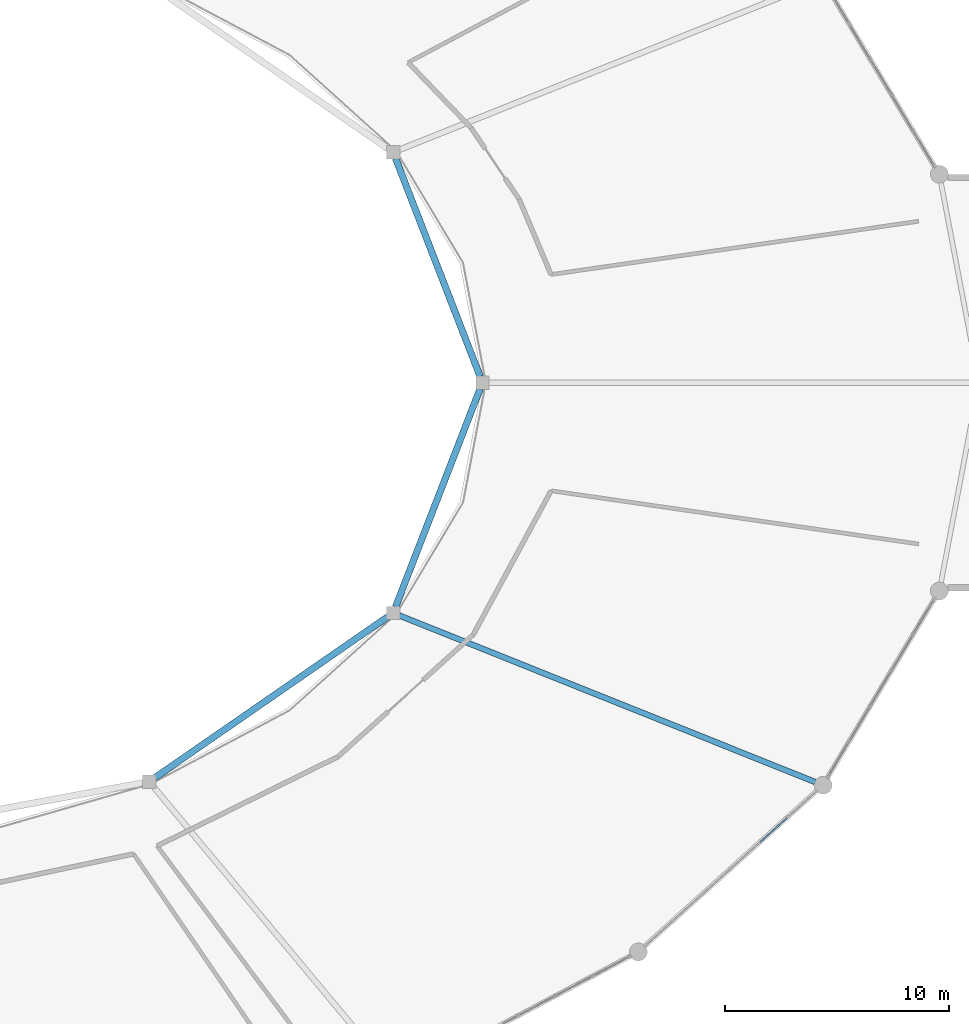
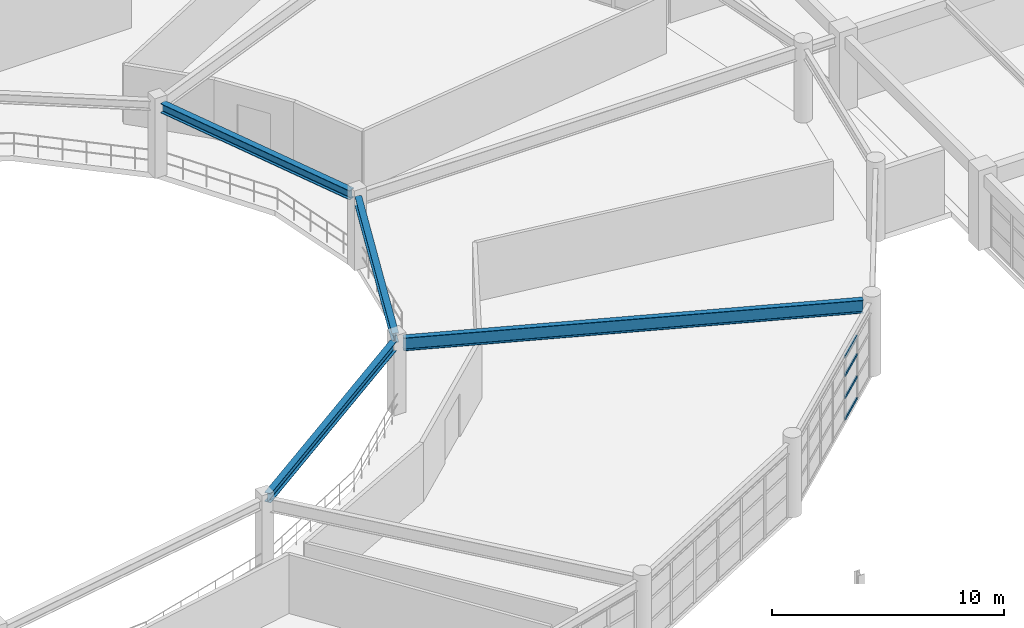
# One storey, part 40 of 100: 4 beams, 4 members, 1 element without a shape of its own.
"""IFC4 building model written with IfcOpenShell, lengths in metres."""

from ifc_helpers import new_model, si_unit, direction, frame, origin, origin_2d, place, context, subcontext, project, spatial, rectangle, i_section, extrude, material, layer, layer_set, material_profile, profile_set, type_object, element, aggregate, save


model = new_model("IFC4")

# Units and contexts
model_context = context("Model", 3, precision=1e-05, world=origin(), true_north=direction((0.0, 1.0)))
body_context = subcontext(model_context, "Body", "Model", "MODEL_VIEW")
ifc_project = project(units=[si_unit("LENGTHUNIT", "METRE"), si_unit("AREAUNIT", "SQUARE_METRE"), si_unit("VOLUMEUNIT", "CUBIC_METRE"), si_unit("PLANEANGLEUNIT", "RADIAN"), si_unit("MASSUNIT", "GRAM", prefix="KILO")], contexts=[model_context])

# Site, building, storey
site_placement = place(None, origin())
site = spatial("IfcSite", under=ifc_project, at=site_placement, CompositionType="ELEMENT")
building_placement = place(site_placement, origin())
building = spatial("IfcBuilding", under=site, at=building_placement, Name="Kivolera Central Railway Station", CompositionType="ELEMENT")
storey_placement = place(building_placement, frame((0.0, 0.0, 5.39990234375)))
storey = spatial("IfcBuildingStorey", under=building, at=storey_placement, Name="L01", CompositionType="ELEMENT", Elevation=5.39990234375)

# Beams
ifc_material_1 = material(Name="Steel S355", Category="steel")
ifc_material_profile_1 = material_profile(ifc_material_1, i_section(OverallWidth=0.300048828125, OverallDepth=0.489990234375, WebThickness=0.011962890625, FlangeThickness=0.02294921875, FilletRadius=0.027099609375, at=origin_2d()), Name="HEA 500")
ifc_profile_set_1 = profile_set([ifc_material_profile_1], Name="Steel S355")
beam_type_1 = type_object("IfcBeamType", Name="BM-SHD-HEA500", PredefinedType="BEAM", material=ifc_profile_set_1)
beam_1_placement = place(storey_placement, frame((93.694091796875, 90.27197265625, 3.633056640625), z_axis=(-0.361282774201, 0.932456303033, 0.0), x_axis=(-0.932456303033, -0.361282774201, 0.0)))
element("IfcBeam", 1, at=beam_1_placement, inside=storey, type_object=beam_type_1, Name="L01 Oval Inner Gallery Ring Beam 01", PredefinedType="BEAM", context=body_context, shape_type="SweptSolid", body=[
    extrude(i_section(OverallWidth=0.300048828125, OverallDepth=0.489990234375, WebThickness=0.011962890625, FlangeThickness=0.02294921875, FilletRadius=0.027099609375, at=origin_2d()), origin(), (0.0, 0.0, 1.0), 10.462890625),
])
beam_2_placement = place(storey_placement, frame((79.139892578125, 72.325927734375, 3.633056640625), z_axis=(0.822617656818, 0.568594926719, 0.0), x_axis=(-0.568594926719, 0.822617656818, 0.0)))
element("IfcBeam", 2, at=beam_2_placement, inside=storey, type_object=beam_type_1, Name="L01 Oval Inner Gallery Ring Beam 11", PredefinedType="BEAM", context=body_context, shape_type="SweptSolid", body=[
    extrude(i_section(OverallWidth=0.300048828125, OverallDepth=0.489990234375, WebThickness=0.011962890625, FlangeThickness=0.02294921875, FilletRadius=0.027099609375, at=origin_2d()), origin(), (0.0, 0.0, 1.0), 12.6767578125),
])
beam_3_placement = place(storey_placement, frame((89.9140625, 79.971923828125, 3.633056640625), z_axis=(0.361282774201, 0.932456303033, 0.0), x_axis=(-0.932456303033, 0.361282774201, 0.0)))
element("IfcBeam", 3, at=beam_3_placement, inside=storey, type_object=beam_type_1, Name="L01 Oval Inner Gallery Ring Beam 12", PredefinedType="BEAM", context=body_context, shape_type="SweptSolid", body=[
    extrude(i_section(OverallWidth=0.300048828125, OverallDepth=0.489990234375, WebThickness=0.011962890625, FlangeThickness=0.02294921875, FilletRadius=0.027099609375, at=origin_2d()), origin(), (0.0, 0.0, 1.0), 10.462890625),
])
ifc_material_profile_2 = material_profile(ifc_material_1, i_section(OverallWidth=0.253662109375, OverallDepth=0.68359375, WebThickness=0.012451171875, FlangeThickness=0.01904296875, FilletRadius=0.01513671875, at=origin_2d()), Name="UB 686x254x140")
ifc_profile_set_2 = profile_set([ifc_material_profile_2], Name="Steel S355")
beam_type_2 = type_object("IfcBeamType", Name="BM-SHD-UB686", PredefinedType="BEAM", material=ifc_profile_set_2)
beam_4_placement = place(storey_placement, frame((90.0791015625, 79.591064453125, 3.5361328125), z_axis=(0.928316028373, -0.371792080961, 0.0), x_axis=(0.371792080961, 0.928316028373, 0.0)))
element("IfcBeam", 4, at=beam_4_placement, inside=storey, type_object=beam_type_2, Name="L01 Oval Gallery Radial Girder 12", PredefinedType="BEAM", context=body_context, shape_type="SweptSolid", body=[
    extrude(i_section(OverallWidth=0.253662109375, OverallDepth=0.68359375, WebThickness=0.012451171875, FlangeThickness=0.01904296875, FilletRadius=0.01513671875, at=origin_2d()), origin(), (0.0, 0.0, 1.0), 20.02734375),
])

# Curtain wall, members
ifc_material_2 = material(Name="Anodised aluminium", Category="aluminium")
ifc_layer = layer(ifc_material_2, 0.179931640625, Name="Anodised aluminium")
ifc_layer_set = layer_set([ifc_layer], Name="Anodised aluminium")
curtain_wall_type = type_object("IfcCurtainWallType", Name="CW-SYS-05", PredefinedType="NOTDEFINED", material=ifc_layer_set)
curtain_wall_placement = place(storey_placement, origin())
curtain_wall = element("IfcCurtainWall", 5, at=curtain_wall_placement, inside=storey, type_object=curtain_wall_type, Name="L01 Curtain Wall CW-L01-OVL-21", PredefinedType="NOTDEFINED")
ifc_material_profile_3 = material_profile(ifc_material_2, rectangle(XDim=0.070068359375, YDim=0.139892578125, at=origin_2d()), Name="ALU TRAN 70x140")
ifc_profile_set_3 = profile_set([ifc_material_profile_3], Name="Anodised aluminium")
member_type = type_object("IfcMemberType", Name="CWM-TRN-1", PredefinedType="USERDEFINED", material=ifc_profile_set_3)
member_1_placement = place(storey_placement, frame((107.431884765625, 70.55517578125, 0.03515625), z_axis=(-0.74246304586, -0.669887024455, 0.0), x_axis=(0.669887024455, -0.74246304586, 0.0)))
member_1 = element("IfcMember", 6, at=member_1_placement, type_object=member_type, Name="CW-05 transom 2.1", ObjectType="TRANSOM", PredefinedType="USERDEFINED", context=body_context, shape_type="SweptSolid", body=[
    extrude(rectangle(XDim=0.070068359375, YDim=0.139892578125, at=origin_2d()), origin(), (0.0, 0.0, 1.0), 1.651611328125),
])
member_2_placement = place(storey_placement, frame((107.431884765625, 70.55517578125, 1.169189453125), z_axis=(-0.74246304586, -0.669887024455, 0.0), x_axis=(0.669887024455, -0.74246304586, 0.0)))
member_2 = element("IfcMember", 7, at=member_2_placement, type_object=member_type, Name="CW-05 transom 2.2", ObjectType="TRANSOM", PredefinedType="USERDEFINED", context=body_context, shape_type="SweptSolid", body=[
    extrude(rectangle(XDim=0.070068359375, YDim=0.139892578125, at=origin_2d()), origin(), (0.0, 0.0, 1.0), 1.651611328125),
])
member_3_placement = place(storey_placement, frame((107.431884765625, 70.55517578125, 2.338134765625), z_axis=(-0.74246304586, -0.669887024455, 0.0), x_axis=(0.669887024455, -0.74246304586, 0.0)))
member_3 = element("IfcMember", 8, at=member_3_placement, type_object=member_type, Name="CW-05 transom 2.3", ObjectType="TRANSOM", PredefinedType="USERDEFINED", context=body_context, shape_type="SweptSolid", body=[
    extrude(rectangle(XDim=0.070068359375, YDim=0.139892578125, at=origin_2d()), origin(), (0.0, 0.0, 1.0), 1.651611328125),
])
member_4_placement = place(storey_placement, frame((107.431884765625, 70.55517578125, 3.30517578125), z_axis=(-0.74246304586, -0.669887024455, 0.0), x_axis=(0.669887024455, -0.74246304586, 0.0)))
member_4 = element("IfcMember", 9, at=member_4_placement, type_object=member_type, Name="CW-05 transom 2.4", ObjectType="TRANSOM", PredefinedType="USERDEFINED", context=body_context, shape_type="SweptSolid", body=[
    extrude(rectangle(XDim=0.070068359375, YDim=0.139892578125, at=origin_2d()), origin(), (0.0, 0.0, 1.0), 1.651611328125),
])
aggregate(curtain_wall, [member_1, member_2, member_3, member_4])

save(model, "model.ifc")
